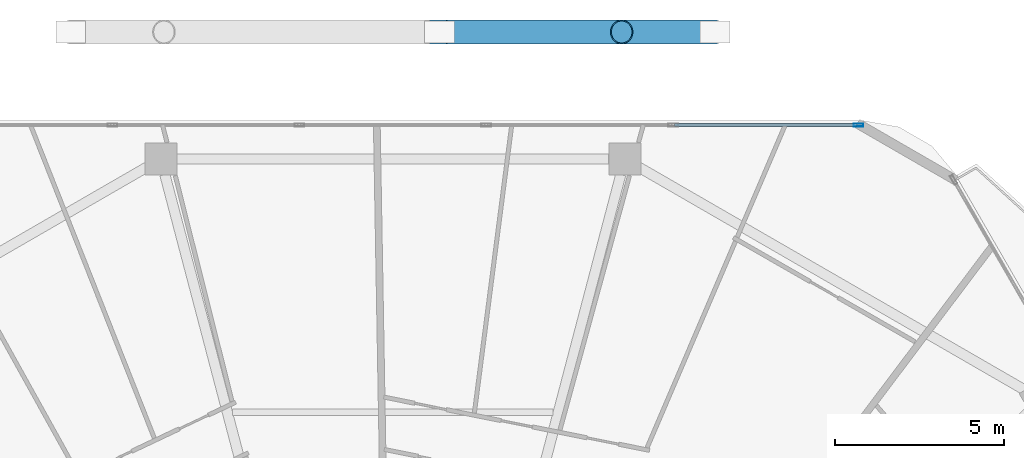
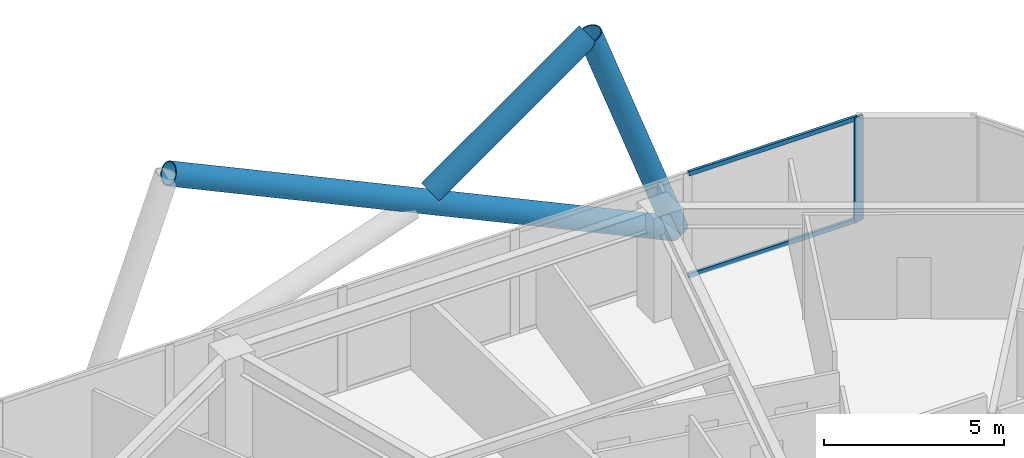
# One storey, part 18 of 29: 6 members, 1 element without a shape of its own.
"""IFC4 building model written with IfcOpenShell, lengths in metres."""

from ifc_helpers import new_model, si_unit, direction, frame, origin, origin_2d, place, context, subcontext, project, spatial, hollow_rectangle, hollow_circle, extrude, material, material_profile, profile_set, type_object, element, aggregate, save


model = new_model("IFC4")

# Units and contexts
model_context = context("Model", 3, precision=1e-05, world=origin(), true_north=direction((0.0, 1.0)))
body_context = subcontext(model_context, "Body", "Model", "MODEL_VIEW")
ifc_project = project(units=[si_unit("LENGTHUNIT", "METRE"), si_unit("AREAUNIT", "SQUARE_METRE"), si_unit("VOLUMEUNIT", "CUBIC_METRE"), si_unit("PLANEANGLEUNIT", "RADIAN"), si_unit("MASSUNIT", "GRAM", prefix="KILO")], contexts=[model_context])

# Site, building, storey
site_placement = place(None, origin())
site = spatial("IfcSite", under=ifc_project, at=site_placement, CompositionType="ELEMENT")
building_placement = place(site_placement, origin())
building = spatial("IfcBuilding", under=site, at=building_placement, Name="Zuhravey Tower", CompositionType="ELEMENT")
storey_placement = place(building_placement, frame((0.0, 0.0, 192.199951171875)))
storey = spatial("IfcBuildingStorey", under=building, at=storey_placement, Name="L48", CompositionType="ELEMENT", Elevation=192.199951171875)

# Curtain wall, members
ifc_material_1 = material(Name="Thermally broken anodised aluminium", Category="aluminium")
curtain_wall_type = type_object("IfcCurtainWallType", Name="Zone 1-2 Residential Curtain Wall CW3", PredefinedType="NOTDEFINED", material=ifc_material_1)
curtain_wall_placement = place(storey_placement, origin())
curtain_wall = element("IfcCurtainWall", 1, at=curtain_wall_placement, inside=storey, type_object=curtain_wall_type, Name="L48 CW3 CW-L48-F2-1", PredefinedType="NOTDEFINED")
ifc_material_2 = material(Name="Anodised aluminium", Category="aluminium")
ifc_material_profile_1 = material_profile(ifc_material_2, hollow_rectangle(XDim=0.090087890625, YDim=0.284912109375, WallThickness=0.0048828125, at=origin_2d()), Name="ALU-RHS-90x285x5")
ifc_profile_set_1 = profile_set([ifc_material_profile_1], Name="Anodised aluminium")
member_type_1 = type_object("IfcMemberType", Name="Curtain-Wall Mullion 90x180", PredefinedType="MULLION", material=ifc_profile_set_1)
member_1_placement = place(storey_placement, frame((49.816162109375, 59.18310546875, 0.0), z_axis=(0.0, 0.0, 1.0), x_axis=(0.0, 1.0, 0.0)))
member_1 = element("IfcMember", 2, at=member_1_placement, type_object=member_type_1, Name="CW3 mullion 6", PredefinedType="MULLION", context=body_context, shape_type="SweptSolid", body=[
    extrude(hollow_rectangle(XDim=0.090087890625, YDim=0.284912109375, WallThickness=0.0048828125, at=origin_2d()), origin(), (0.0, 0.0, 1.0), 3.550048828125),
])
ifc_material_profile_2 = material_profile(ifc_material_2, hollow_rectangle(XDim=0.090087890625, YDim=0.14990234375, WallThickness=0.0048828125, at=origin_2d()), Name="ALU-RHS-90x150x5")
ifc_profile_set_2 = profile_set([ifc_material_profile_2], Name="Anodised aluminium")
member_type_2 = type_object("IfcMemberType", Name="Curtain-Wall Transom 90x150", PredefinedType="USERDEFINED", material=ifc_profile_set_2)
member_2_placement = place(storey_placement, frame((44.361572265625, 59.18310546875, 0.045166015625), z_axis=(1.0, 0.0, 0.0), x_axis=(0.0, 1.0, 0.0)))
member_2 = element("IfcMember", 3, at=member_2_placement, type_object=member_type_2, Name="CW3 transom 5.1", ObjectType="TRANSOM", PredefinedType="USERDEFINED", context=body_context, shape_type="SweptSolid", body=[
    extrude(hollow_rectangle(XDim=0.090087890625, YDim=0.14990234375, WallThickness=0.0048828125, at=origin_2d()), origin(), (0.0, 0.0, 1.0), 5.409423828125),
])
member_3_placement = place(storey_placement, frame((44.361572265625, 59.18310546875, 3.505126953125), z_axis=(1.0, 0.0, 0.0), x_axis=(0.0, 1.0, 0.0)))
member_3 = element("IfcMember", 4, at=member_3_placement, type_object=member_type_2, Name="CW3 transom 5.2", ObjectType="TRANSOM", PredefinedType="USERDEFINED", context=body_context, shape_type="SweptSolid", body=[
    extrude(hollow_rectangle(XDim=0.090087890625, YDim=0.14990234375, WallThickness=0.0048828125, at=origin_2d()), origin(), (0.0, 0.0, 1.0), 5.409423828125),
])
aggregate(curtain_wall, [member_1, member_2, member_3])

# Members
ifc_material_3 = material(Name="Steel SM460", Category="steel")
ifc_material_profile_3 = material_profile(ifc_material_3, hollow_circle(Radius=0.355712890625, WallThickness=0.031982421875, at=origin_2d()), Name="CHS-711.2x32")
ifc_profile_set_3 = profile_set([ifc_material_profile_3], Name="Steel SM460")
member_type_3 = type_object("IfcMemberType", Name="Exoskeleton Zone 2 Diagrid CHS711x32", PredefinedType="BRACE", material=ifc_profile_set_3)
member_4_placement = place(storey_placement, frame((45.547607421875, 61.943115234375, -0.44384765625), z_axis=(-0.342868163771, 0.0, 0.939383533107), x_axis=(0.0, -1.0, 0.0)))
element("IfcMember", 5, at=member_4_placement, inside=storey, type_object=member_type_3, Name="L48 Face 2 Diagrid Brace 1", PredefinedType="BRACE", context=body_context, shape_type="SweptSolid", body=[
    extrude(hollow_circle(Radius=0.355712890625, WallThickness=0.031982421875, at=origin_2d()), origin(), (0.0, 0.0, 1.0), 8.047607421875),
])
member_5_placement = place(storey_placement, frame((45.511962890625, 61.943115234375, -0.44384765625), z_axis=(-0.90668537264, 0.0, 0.421807580586), x_axis=(0.0, -1.0, 0.0)))
element("IfcMember", 6, at=member_5_placement, inside=storey, type_object=member_type_3, Name="L48 Face 2 Diagrid Brace 2", PredefinedType="BRACE", context=body_context, shape_type="SweptSolid", body=[
    extrude(hollow_circle(Radius=0.355712890625, WallThickness=0.031982421875, at=origin_2d()), origin(), (0.0, 0.0, 1.0), 17.92236328125),
])
member_6_placement = place(storey_placement, frame((37.66943359375, 61.943115234375, 3.534912109375), z_axis=(0.817501799386, 0.0, 0.575926043864), x_axis=(0.0, 1.0, 0.0)))
element("IfcMember", 7, at=member_6_placement, inside=storey, type_object=member_type_3, Name="L48 Face 2 Split Diagrid Brace 3B", PredefinedType="BRACE", context=body_context, shape_type="SweptSolid", body=[
    extrude(hollow_circle(Radius=0.355712890625, WallThickness=0.031982421875, at=origin_2d()), origin(), (0.0, 0.0, 1.0), 6.205078125),
])

save(model, "model.ifc")
